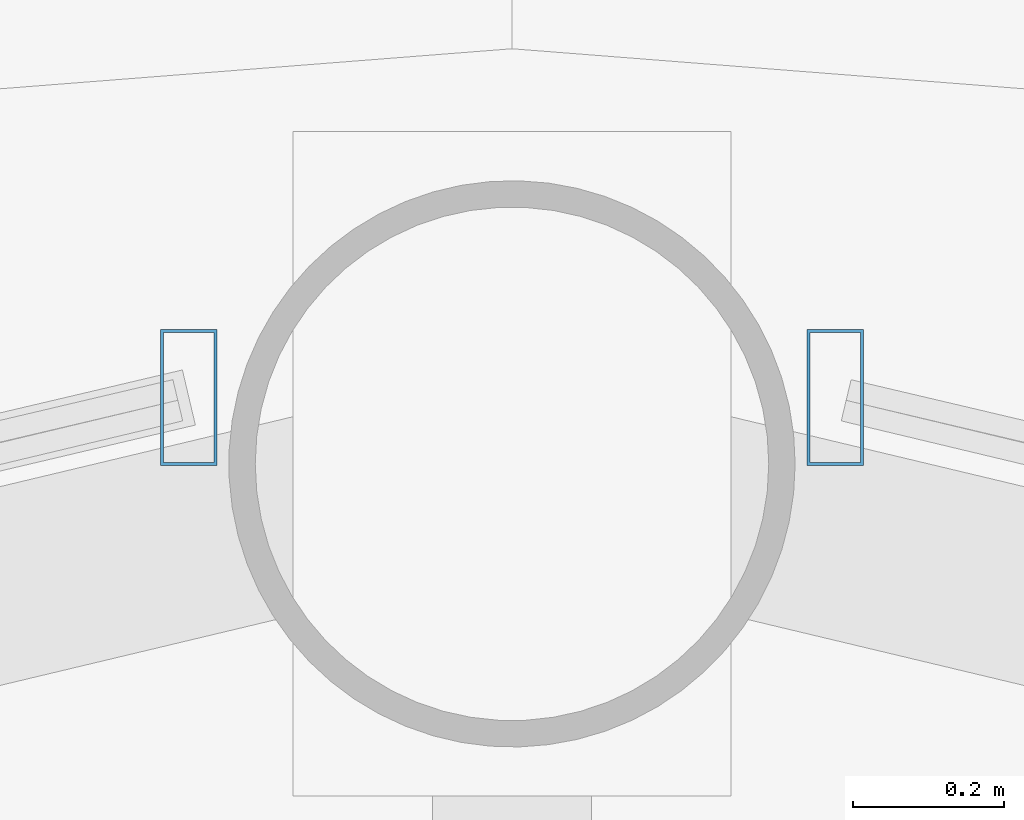
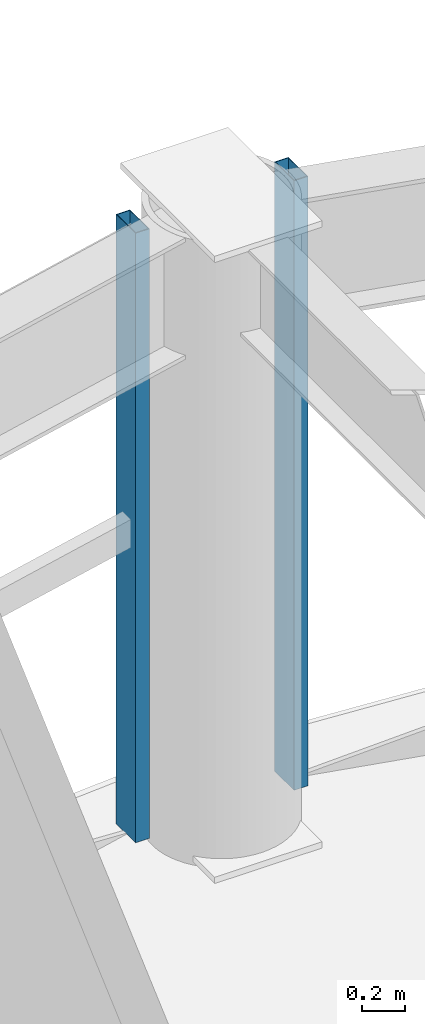
# One storey, part 18 of 32: 2 members, 2 elements without a shape of their own.
"""IFC4 building model written with IfcOpenShell, lengths in metres."""

from ifc_helpers import new_model, si_unit, direction, frame, origin, origin_2d, place, context, subcontext, project, spatial, hollow_rectangle, extrude, material, layer, layer_set, material_profile, profile_set, type_object, element, aggregate, save


model = new_model("IFC4")

# Units and contexts
model_context = context("Model", 3, precision=1e-05, world=origin(), true_north=direction((0.0, 1.0)))
body_context = subcontext(model_context, "Body", "Model", "MODEL_VIEW")
ifc_project = project(units=[si_unit("LENGTHUNIT", "METRE"), si_unit("AREAUNIT", "SQUARE_METRE"), si_unit("VOLUMEUNIT", "CUBIC_METRE"), si_unit("PLANEANGLEUNIT", "RADIAN"), si_unit("MASSUNIT", "GRAM", prefix="KILO")], contexts=[model_context])

# Site, building, storey
site_placement = place(None, origin())
site = spatial("IfcSite", under=ifc_project, at=site_placement, CompositionType="ELEMENT")
building_placement = place(site_placement, origin())
building = spatial("IfcBuilding", under=site, at=building_placement, Name="Vantalir Tower", CompositionType="ELEMENT")
storey_placement = place(building_placement, frame((0.0, 0.0, 100.949951171875)))
storey = spatial("IfcBuildingStorey", under=building, at=storey_placement, Name="L24", CompositionType="ELEMENT", Elevation=100.949951171875)

# Curtain wall, member
ifc_material_1 = material(Name="Champagne-silver PVDF aluminium and double-silver Low-E glass", Category="aluminium")
ifc_layer = layer(ifc_material_1, 0.199951171875)
ifc_layer_set = layer_set([ifc_layer], Name="Champagne-silver PVDF aluminium and double-silver Low-E glass")
curtain_wall_type = type_object("IfcCurtainWallType", Name="CW-DIAMOND-Z2", PredefinedType="USERDEFINED", material=ifc_layer_set)
curtain_wall_1_placement = place(storey_placement, origin())
curtain_wall_1 = element("IfcCurtainWall", 1, at=curtain_wall_1_placement, inside=storey, type_object=curtain_wall_type, Name="L24 Quilted Pyramid-Diamond Curtain Wall S03", ObjectType="UNITISED CURTAIN WALL", PredefinedType="USERDEFINED")
ifc_material_2 = material(Name="Champagne-silver PVDF aluminium 6063-T6", Category="aluminium")
ifc_material_profile = material_profile(ifc_material_2, hollow_rectangle(XDim=0.074951171875, YDim=0.179931640625, WallThickness=0.00390625, at=origin_2d()), Name="Champagne-silver PVDF aluminium 6063-T6")
ifc_profile_set = profile_set([ifc_material_profile], Name="Champagne-silver PVDF aluminium 6063-T6")
member_type = type_object("IfcMemberType", Name="CWM-180x75", PredefinedType="MULLION", material=ifc_profile_set)
member_1_placement = place(storey_placement, frame((31.927978515625, 47.8759765625, 0.045166015625), z_axis=(0.0, 0.0, 1.0), x_axis=(1.0, 0.0, 0.0)))
member_1 = element("IfcMember", 2, at=member_1_placement, type_object=member_type, Name="CW-L24-S03 Mullion 2", PredefinedType="MULLION", context=body_context, shape_type="SweptSolid", body=[
    extrude(hollow_rectangle(XDim=0.074951171875, YDim=0.179931640625, WallThickness=0.00390625, at=origin_2d()), origin(), (0.0, 0.0, 1.0), 3.47998046875),
])
aggregate(curtain_wall_1, [member_1])

curtain_wall_2_placement = place(storey_placement, origin())
curtain_wall_2 = element("IfcCurtainWall", 3, at=curtain_wall_2_placement, inside=storey, type_object=curtain_wall_type, Name="L24 Quilted Pyramid-Diamond Curtain Wall S04", ObjectType="UNITISED CURTAIN WALL", PredefinedType="USERDEFINED")
member_2_placement = place(storey_placement, frame((31.072021484375, 47.8759765625, 0.045166015625), z_axis=(0.0, 0.0, 1.0), x_axis=(1.0, 0.0, 0.0)))
member_2 = element("IfcMember", 4, at=member_2_placement, type_object=member_type, Name="CW-L24-S04 Mullion 1", PredefinedType="MULLION", context=body_context, shape_type="SweptSolid", body=[
    extrude(hollow_rectangle(XDim=0.074951171875, YDim=0.179931640625, WallThickness=0.00390625, at=origin_2d()), origin(), (0.0, 0.0, 1.0), 3.47998046875),
])
aggregate(curtain_wall_2, [member_2])

save(model, "model.ifc")
